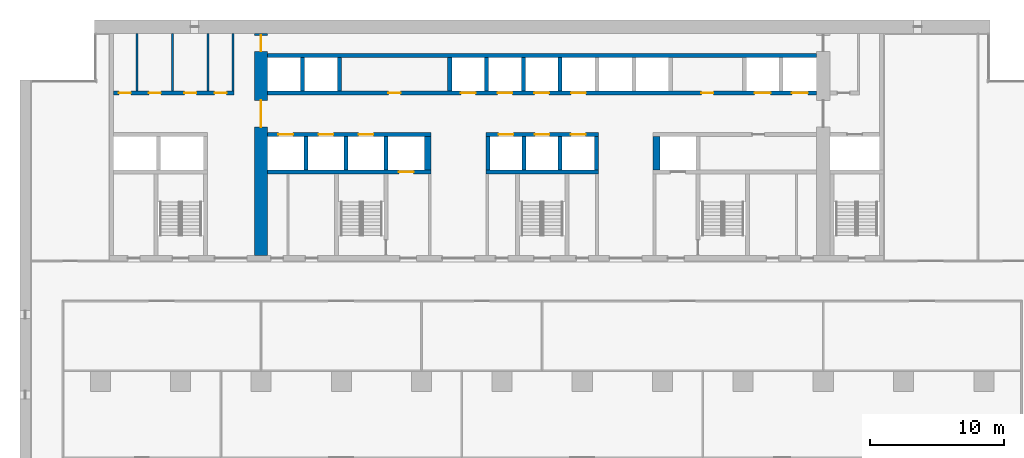
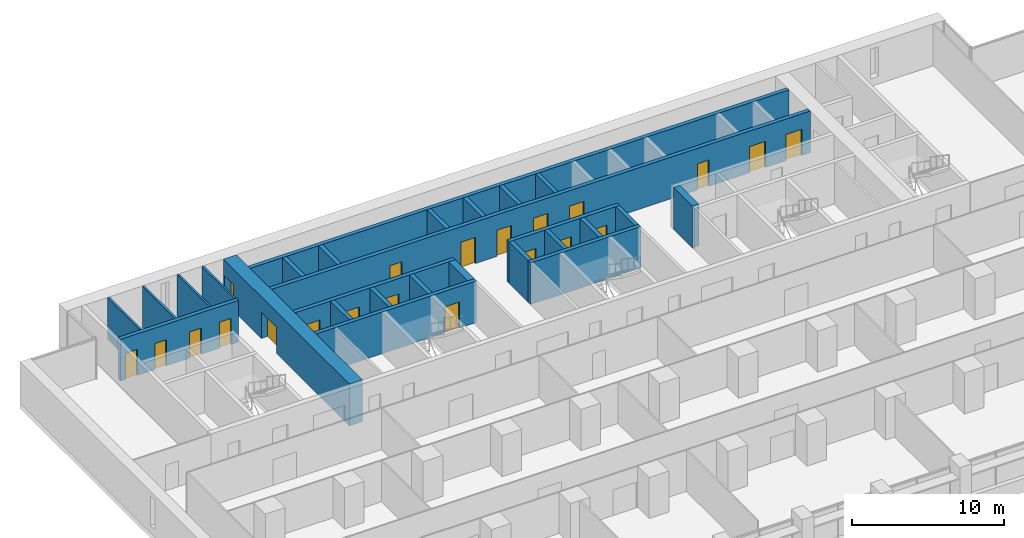
# One storey, part 11 of 18: 27 walls, 21 doors, 21 openings.
"""IFC4 building model written with IfcOpenShell, lengths in metres."""

from ifc_helpers import new_model, si_unit, direction, frame, frame_2d, origin, place, context, subcontext, project, spatial, rectangle, extrude, material, layer, layer_set, type_object, element, fill, save


model = new_model("IFC4")

# Units and contexts
model_context = context("Model", 3, precision=1e-05, world=origin(), true_north=direction((0.0, 1.0)))
body_context = subcontext(model_context, "Body", "Model", "MODEL_VIEW")
ifc_project = project(units=[si_unit("LENGTHUNIT", "METRE"), si_unit("AREAUNIT", "SQUARE_METRE"), si_unit("VOLUMEUNIT", "CUBIC_METRE"), si_unit("PLANEANGLEUNIT", "RADIAN"), si_unit("MASSUNIT", "GRAM", prefix="KILO")], contexts=[model_context])

# Site, building, storey
site_placement = place(None, origin())
site = spatial("IfcSite", under=ifc_project, at=site_placement, CompositionType="ELEMENT")
building_placement = place(site_placement, origin())
building = spatial("IfcBuilding", under=site, at=building_placement, Name="Calvaro Tower", CompositionType="ELEMENT")
storey_placement = place(building_placement, frame((0.0, 0.0, 78.75)))
storey = spatial("IfcBuildingStorey", under=building, at=storey_placement, Name="L19", CompositionType="ELEMENT", Elevation=78.75)

# Walls
ifc_material_1 = material(Name="Blockwork partition", Category="masonry")
ifc_layer_1 = layer(ifc_material_1, 0.14990234375)
ifc_layer_set_1 = layer_set([ifc_layer_1], Name="Blockwork partition")
wall_type_1 = type_object("IfcWallType", Name="Core partition 150 EI 60", PredefinedType="PARTITIONING", material=ifc_layer_set_1)
for number, where, z_axis, x_axis, name in (
    (1, (8.75, 40.699951171875, 0.0), (0.0, 0.0, 1.0), (0.0, 1.0, 0.0), "Core partition"),
    (2, (11.39990234375, 40.699951171875, 0.0), (0.0, 0.0, 1.0), (0.0, 1.0, 0.0), "Core partition"),
    (3, (14.050048828125, 40.699951171875, 0.0), (0.0, 0.0, 1.0), (0.0, 1.0, 0.0), "Core partition"),
):
    element("IfcWall", number, at=place(storey_placement, frame(where, z_axis=z_axis, x_axis=x_axis)), inside=storey, type_object=wall_type_1, Name=name, PredefinedType="PARTITIONING", context=body_context, shape_type="SweptSolid", body=[
        extrude(rectangle(XDim=4.300048828125, YDim=0.14990234375, at=frame_2d((2.14990234375, 0.0))), origin(), (0.0, 0.0, 1.0), 3.35009765625),
    ])
ifc_material_2 = material(Name="Blockwork partition", Category="masonry")
ifc_layer_2 = layer(ifc_material_2, 0.14990234375)
ifc_layer_set_2 = layer_set([ifc_layer_2], Name="Blockwork partition")
wall_type_2 = type_object("IfcWallType", Name="Core partition 150 REI 120", PredefinedType="PARTITIONING", material=ifc_layer_set_2)
wall_1_placement = place(storey_placement, frame((15.925048828125, 40.699951171875, 0.0), z_axis=(0.0, 0.0, 1.0), x_axis=(0.0, 1.0, 0.0)))
element("IfcWall", 4, at=wall_1_placement, inside=storey, type_object=wall_type_2, Name="Core partition", PredefinedType="PARTITIONING", context=body_context, shape_type="SweptSolid", body=[
    extrude(rectangle(XDim=4.300048828125, YDim=0.14990234375, at=frame_2d((2.14990234375, 0.0))), origin(), (0.0, 0.0, 1.0), 3.35009765625),
])

# Wall, openings, doors
ifc_material_3 = material(Name="Blockwork partition", Category="masonry")
ifc_layer_3 = layer(ifc_material_3, 0.300048828125)
ifc_layer_set_3 = layer_set([ifc_layer_3], Name="Blockwork partition")
wall_type_3 = type_object("IfcWallType", Name="Core partition 300 REI 120", PredefinedType="PARTITIONING", material=ifc_layer_set_3)
wall_2_placement = place(storey_placement, frame((7.0, 40.550048828125, 0.0), z_axis=(0.0, 0.0, 1.0), x_axis=(1.0, 0.0, 0.0)))
wall_2 = element("IfcWall", 5, at=wall_2_placement, inside=storey, type_object=wall_type_3, Name="Core partition", PredefinedType="PARTITIONING", context=body_context, shape_type="SweptSolid", body=[
    extrude(rectangle(XDim=9.0, YDim=0.300048828125, at=frame_2d((4.5, 0.0))), origin(), (0.0, 0.0, 1.0), 3.35009765625),
])
opening_1_placement = place(wall_2_placement, frame((0.387451171875, 0.0, 0.0)))
opening_1 = element("IfcOpeningElement", 6, at=opening_1_placement, cuts=wall_2, Name="Opening RD9C", PredefinedType="OPENING", context=body_context, shape_type="SweptSolid", body=[
    extrude(rectangle(XDim=0.89990234375, YDim=2.10009765625, at=frame_2d((0.449951171875, 1.050048828125))), frame((0.0, 0.159912109375, 0.0), z_axis=(0.0, -1.0, 0.0), x_axis=(1.0, 0.0, 0.0)), (0.0, 0.0, 1.0), 0.320068359375),
])
opening_2_placement = place(wall_2_placement, frame((2.625, 0.0, 0.0)))
opening_2 = element("IfcOpeningElement", 7, at=opening_2_placement, cuts=wall_2, Name="Opening RD9", PredefinedType="OPENING", context=body_context, shape_type="SweptSolid", body=[
    extrude(rectangle(XDim=0.89990234375, YDim=2.10009765625, at=frame_2d((0.449951171875, 1.050048828125))), frame((0.0, 0.159912109375, 0.0), z_axis=(0.0, -1.0, 0.0), x_axis=(1.0, 0.0, 0.0)), (0.0, 0.0, 1.0), 0.320068359375),
])
opening_3_placement = place(wall_2_placement, frame((5.27490234375, 0.0, 0.0)))
opening_3 = element("IfcOpeningElement", 8, at=opening_3_placement, cuts=wall_2, Name="Opening RD9", PredefinedType="OPENING", context=body_context, shape_type="SweptSolid", body=[
    extrude(rectangle(XDim=0.89990234375, YDim=2.10009765625, at=frame_2d((0.449951171875, 1.050048828125))), frame((0.0, 0.159912109375, 0.0), z_axis=(0.0, -1.0, 0.0), x_axis=(1.0, 0.0, 0.0)), (0.0, 0.0, 1.0), 0.320068359375),
])
opening_4_placement = place(wall_2_placement, frame((7.53759765625, 0.0, 0.0)))
opening_4 = element("IfcOpeningElement", 9, at=opening_4_placement, cuts=wall_2, Name="Opening RD9", PredefinedType="OPENING", context=body_context, shape_type="SweptSolid", body=[
    extrude(rectangle(XDim=0.89990234375, YDim=2.10009765625, at=frame_2d((0.449951171875, 1.050048828125))), frame((0.0, 0.159912109375, 0.0), z_axis=(0.0, -1.0, 0.0), x_axis=(1.0, 0.0, 0.0)), (0.0, 0.0, 1.0), 0.320068359375),
])
ifc_material_4 = material(Name="Steel door set", Category="steel")
door_type_1 = type_object("IfcDoorType", Name="Room door 900", OperationType="SINGLE_SWING_LEFT", PredefinedType="DOOR", material=ifc_material_4)
door_1_placement = place(opening_2_placement, origin())
door_1 = element("IfcDoor", 10, at=door_1_placement, inside=storey, type_object=door_type_1, Name="Room door", OperationType="SINGLE_SWING_LEFT", OverallHeight=2.10009765625, OverallWidth=0.89990234375, PredefinedType="DOOR", context=body_context, shape_type="SweptSolid", body=[
    extrude(rectangle(XDim=0.89990234375, YDim=2.10009765625, at=frame_2d((0.449951171875, 1.050048828125))), frame((0.0, 0.02490234375, 0.0), z_axis=(0.0, -1.0, 0.0), x_axis=(1.0, 0.0, 0.0)), (0.0, 0.0, 1.0), 0.050048828125),
])
fill(opening_2, door_1)
door_2_placement = place(opening_3_placement, origin())
door_2 = element("IfcDoor", 11, at=door_2_placement, inside=storey, type_object=door_type_1, Name="Room door", OperationType="SINGLE_SWING_LEFT", OverallHeight=2.10009765625, OverallWidth=0.89990234375, PredefinedType="DOOR", context=body_context, shape_type="SweptSolid", body=[
    extrude(rectangle(XDim=0.89990234375, YDim=2.10009765625, at=frame_2d((0.449951171875, 1.050048828125))), frame((0.0, 0.02490234375, 0.0), z_axis=(0.0, -1.0, 0.0), x_axis=(1.0, 0.0, 0.0)), (0.0, 0.0, 1.0), 0.050048828125),
])
fill(opening_3, door_2)
door_3_placement = place(opening_4_placement, origin())
door_3 = element("IfcDoor", 12, at=door_3_placement, inside=storey, type_object=door_type_1, Name="Room door", OperationType="SINGLE_SWING_RIGHT", OverallHeight=2.10009765625, OverallWidth=0.89990234375, PredefinedType="DOOR", context=body_context, shape_type="SweptSolid", body=[
    extrude(rectangle(XDim=0.89990234375, YDim=2.10009765625, at=frame_2d((0.449951171875, 1.050048828125))), frame((0.0, 0.02490234375, 0.0), z_axis=(0.0, -1.0, 0.0), x_axis=(1.0, 0.0, 0.0)), (0.0, 0.0, 1.0), 0.050048828125),
])
fill(opening_4, door_3)
ifc_material_5 = material(Name="Steel door set", Category="steel")
door_type_2 = type_object("IfcDoorType", Name="Room door 900 FD30", OperationType="SINGLE_SWING_LEFT", PredefinedType="DOOR", material=ifc_material_5)
door_4_placement = place(opening_1_placement, origin())
door_4 = element("IfcDoor", 13, at=door_4_placement, inside=storey, type_object=door_type_2, Name="Room door", OperationType="SINGLE_SWING_LEFT", OverallHeight=2.10009765625, OverallWidth=0.89990234375, PredefinedType="DOOR", context=body_context, shape_type="SweptSolid", body=[
    extrude(rectangle(XDim=0.89990234375, YDim=2.10009765625, at=frame_2d((0.449951171875, 1.050048828125))), frame((0.0, 0.02490234375, 0.0), z_axis=(0.0, -1.0, 0.0), x_axis=(1.0, 0.0, 0.0)), (0.0, 0.0, 1.0), 0.050048828125),
])
fill(opening_1, door_4)

ifc_material_6 = material(Name="Concrete C80/95", Category="concrete")
ifc_layer_4 = layer(ifc_material_6, 1.0)
ifc_layer_set_4 = layer_set([ifc_layer_4], Name="Concrete C80/95")
wall_type_4 = type_object("IfcWallType", Name="Core wall C80/95 1000", PredefinedType="SHEAR", material=ifc_layer_set_4)
wall_3_placement = place(storey_placement, frame((18.0, 28.39990234375, 0.0), z_axis=(0.0, 0.0, 1.0), x_axis=(0.0, 1.0, 0.0)))
wall_3 = element("IfcWall", 14, at=wall_3_placement, inside=storey, type_object=wall_type_4, Name="Core wall, cross shear wall", PredefinedType="SHEAR", context=body_context, shape_type="SweptSolid", body=[
    extrude(rectangle(XDim=16.60009765625, YDim=1.0, at=frame_2d((8.300048828125, 0.0))), origin(), (0.0, 0.0, 1.0), 3.35009765625),
])
opening_5_placement = place(wall_3_placement, frame((9.60009765625, 0.0, 0.0)))
opening_5 = element("IfcOpeningElement", 15, at=opening_5_placement, cuts=wall_3, Name="Opening DD20D", PredefinedType="OPENING", context=body_context, shape_type="SweptSolid", body=[
    extrude(rectangle(XDim=2.0, YDim=2.10009765625, at=frame_2d((1.0, 1.050048828125))), frame((0.0, 0.510009765625, 0.0), z_axis=(0.0, -1.0, 0.0), x_axis=(1.0, 0.0, 0.0)), (0.0, 0.0, 1.0), 1.02001953125),
])
opening_6_placement = place(wall_3_placement, frame((15.25, 0.0, 0.0)))
opening_6 = element("IfcOpeningElement", 16, at=opening_6_placement, cuts=wall_3, Name="Opening FD12C", PredefinedType="OPENING", context=body_context, shape_type="SweptSolid", body=[
    extrude(rectangle(XDim=1.199951171875, YDim=2.10009765625, at=frame_2d((0.60009765625, 1.050048828125))), frame((0.0, 0.510009765625, 0.0), z_axis=(0.0, -1.0, 0.0), x_axis=(1.0, 0.0, 0.0)), (0.0, 0.0, 1.0), 1.02001953125),
])
ifc_material_7 = material(Name="Steel door set", Category="steel")
door_type_3 = type_object("IfcDoorType", Name="Fire door 1200 FD30", OperationType="SINGLE_SWING_LEFT", PredefinedType="DOOR", material=ifc_material_7)
door_5_placement = place(opening_6_placement, origin())
door_5 = element("IfcDoor", 17, at=door_5_placement, inside=storey, type_object=door_type_3, Name="Fire door", OperationType="SINGLE_SWING_LEFT", OverallHeight=2.10009765625, OverallWidth=1.199951171875, PredefinedType="DOOR", context=body_context, shape_type="SweptSolid", body=[
    extrude(rectangle(XDim=1.199951171875, YDim=2.10009765625, at=frame_2d((0.60009765625, 1.050048828125))), frame((0.0, 0.02490234375, 0.0), z_axis=(0.0, -1.0, 0.0), x_axis=(1.0, 0.0, 0.0)), (0.0, 0.0, 1.0), 0.050048828125),
])
fill(opening_6, door_5)
ifc_material_8 = material(Name="Steel door set", Category="steel")
door_type_4 = type_object("IfcDoorType", Name="Lobby double door 2000 FD30S", OperationType="DOUBLE_DOOR_SINGLE_SWING", PredefinedType="DOOR", material=ifc_material_8)
door_6_placement = place(opening_5_placement, origin())
door_6 = element("IfcDoor", 18, at=door_6_placement, inside=storey, type_object=door_type_4, Name="Lobby double door", OperationType="DOUBLE_DOOR_SINGLE_SWING", OverallHeight=2.10009765625, OverallWidth=2.0, PredefinedType="DOOR", context=body_context, shape_type="SweptSolid", body=[
    extrude(rectangle(XDim=2.0, YDim=2.10009765625, at=frame_2d((1.0, 1.050048828125))), frame((0.0, 0.02490234375, 0.0), z_axis=(0.0, -1.0, 0.0), x_axis=(1.0, 0.0, 0.0)), (0.0, 0.0, 1.0), 0.050048828125),
])
fill(opening_5, door_6)

# Wall, opening, door
ifc_material_9 = material(Name="Concrete C80/95", Category="concrete")
ifc_layer_5 = layer(ifc_material_9, 0.300048828125)
ifc_layer_set_5 = layer_set([ifc_layer_5], Name="Concrete C80/95")
wall_type_5 = type_object("IfcWallType", Name="Core wall C80/95 300", PredefinedType="SHEAR", material=ifc_layer_set_5)
wall_4_placement = place(storey_placement, frame((18.5, 34.64990234375, 0.0), z_axis=(0.0, 0.0, 1.0), x_axis=(1.0, 0.0, 0.0)))
wall_4 = element("IfcWall", 19, at=wall_4_placement, inside=storey, type_object=wall_type_5, Name="Core wall, lift shaft", PredefinedType="SHEAR", context=body_context, shape_type="SweptSolid", body=[
    extrude(rectangle(XDim=12.199951171875, YDim=0.300048828125, at=frame_2d((6.10009765625, 0.0))), origin(), (0.0, 0.0, 1.0), 3.35009765625),
])
opening_7_placement = place(wall_4_placement, frame((9.800048828125, 0.0, 0.0)))
opening_7 = element("IfcOpeningElement", 20, at=opening_7_placement, cuts=wall_4, Name="Opening FF1", PredefinedType="OPENING", context=body_context, shape_type="SweptSolid", body=[
    extrude(rectangle(XDim=1.10009765625, YDim=2.10009765625, at=frame_2d((0.550048828125, 1.050048828125))), frame((0.0, 0.159912109375, 0.0), z_axis=(0.0, -1.0, 0.0), x_axis=(1.0, 0.0, 0.0)), (0.0, 0.0, 1.0), 0.320068359375),
])
ifc_material_10 = material(Name="Stainless steel", Category="steel")
door_type_5 = type_object("IfcDoorType", Name="Landing door 1100 E 60", OperationType="SLIDING_TO_LEFT", PredefinedType="DOOR", material=ifc_material_10)
door_7_placement = place(opening_7_placement, origin())
door_7 = element("IfcDoor", 21, at=door_7_placement, inside=storey, type_object=door_type_5, Name="Landing door FF1", OperationType="SLIDING_TO_LEFT", OverallHeight=2.10009765625, OverallWidth=1.10009765625, PredefinedType="DOOR", context=body_context, shape_type="SweptSolid", body=[
    extrude(rectangle(XDim=1.10009765625, YDim=2.10009765625, at=frame_2d((0.550048828125, 1.050048828125))), frame((0.0, 0.02490234375, 0.0), z_axis=(0.0, -1.0, 0.0), x_axis=(1.0, 0.0, 0.0)), (0.0, 0.0, 1.0), 0.050048828125),
])
fill(opening_7, door_7)

# Wall
wall_5_placement = place(storey_placement, frame((34.800048828125, 34.64990234375, 0.0), z_axis=(0.0, 0.0, 1.0), x_axis=(1.0, 0.0, 0.0)))
element("IfcWall", 22, at=wall_5_placement, inside=storey, type_object=wall_type_5, Name="Core wall, lift shaft", PredefinedType="SHEAR", context=body_context, shape_type="SweptSolid", body=[
    extrude(rectangle(XDim=8.39990234375, YDim=0.300048828125, at=frame_2d((4.199951171875, 0.0))), origin(), (0.0, 0.0, 1.0), 3.35009765625),
])

# Wall, openings, doors
wall_6_placement = place(storey_placement, frame((18.5, 37.449951171875, 0.0), z_axis=(0.0, 0.0, 1.0), x_axis=(1.0, 0.0, 0.0)))
wall_6 = element("IfcWall", 23, at=wall_6_placement, inside=storey, type_object=wall_type_5, Name="Core wall, lift shaft", PredefinedType="SHEAR", context=body_context, shape_type="SweptSolid", body=[
    extrude(rectangle(XDim=12.199951171875, YDim=0.300048828125, at=frame_2d((6.10009765625, 0.0))), origin(), (0.0, 0.0, 1.0), 3.35009765625),
])
opening_8_placement = place(wall_6_placement, frame((0.800048828125, 0.0, 0.0)))
opening_8 = element("IfcOpeningElement", 24, at=opening_8_placement, cuts=wall_6, Name="Opening LR1", PredefinedType="OPENING", context=body_context, shape_type="SweptSolid", body=[
    extrude(rectangle(XDim=1.10009765625, YDim=2.10009765625, at=frame_2d((0.550048828125, 1.050048828125))), frame((0.0, 0.159912109375, 0.0), z_axis=(0.0, -1.0, 0.0), x_axis=(1.0, 0.0, 0.0)), (0.0, 0.0, 1.0), 0.320068359375),
])
opening_9_placement = place(wall_6_placement, frame((3.800048828125, 0.0, 0.0)))
opening_9 = element("IfcOpeningElement", 25, at=opening_9_placement, cuts=wall_6, Name="Opening LR2", PredefinedType="OPENING", context=body_context, shape_type="SweptSolid", body=[
    extrude(rectangle(XDim=1.10009765625, YDim=2.10009765625, at=frame_2d((0.550048828125, 1.050048828125))), frame((0.0, 0.159912109375, 0.0), z_axis=(0.0, -1.0, 0.0), x_axis=(1.0, 0.0, 0.0)), (0.0, 0.0, 1.0), 0.320068359375),
])
opening_10_placement = place(wall_6_placement, frame((6.800048828125, 0.0, 0.0)))
opening_10 = element("IfcOpeningElement", 26, at=opening_10_placement, cuts=wall_6, Name="Opening LR3", PredefinedType="OPENING", context=body_context, shape_type="SweptSolid", body=[
    extrude(rectangle(XDim=1.10009765625, YDim=2.10009765625, at=frame_2d((0.550048828125, 1.050048828125))), frame((0.0, 0.159912109375, 0.0), z_axis=(0.0, -1.0, 0.0), x_axis=(1.0, 0.0, 0.0)), (0.0, 0.0, 1.0), 0.320068359375),
])
door_8_placement = place(opening_8_placement, origin())
door_8 = element("IfcDoor", 27, at=door_8_placement, inside=storey, type_object=door_type_5, Name="Landing door LR1", OperationType="SLIDING_TO_LEFT", OverallHeight=2.10009765625, OverallWidth=1.10009765625, PredefinedType="DOOR", context=body_context, shape_type="SweptSolid", body=[
    extrude(rectangle(XDim=1.10009765625, YDim=2.10009765625, at=frame_2d((0.550048828125, 1.050048828125))), frame((0.0, 0.02490234375, 0.0), z_axis=(0.0, -1.0, 0.0), x_axis=(1.0, 0.0, 0.0)), (0.0, 0.0, 1.0), 0.050048828125),
])
fill(opening_8, door_8)
door_9_placement = place(opening_9_placement, origin())
door_9 = element("IfcDoor", 28, at=door_9_placement, inside=storey, type_object=door_type_5, Name="Landing door LR2", OperationType="SLIDING_TO_LEFT", OverallHeight=2.10009765625, OverallWidth=1.10009765625, PredefinedType="DOOR", context=body_context, shape_type="SweptSolid", body=[
    extrude(rectangle(XDim=1.10009765625, YDim=2.10009765625, at=frame_2d((0.550048828125, 1.050048828125))), frame((0.0, 0.02490234375, 0.0), z_axis=(0.0, -1.0, 0.0), x_axis=(1.0, 0.0, 0.0)), (0.0, 0.0, 1.0), 0.050048828125),
])
fill(opening_9, door_9)
door_10_placement = place(opening_10_placement, origin())
door_10 = element("IfcDoor", 29, at=door_10_placement, inside=storey, type_object=door_type_5, Name="Landing door LR3", OperationType="SLIDING_TO_LEFT", OverallHeight=2.10009765625, OverallWidth=1.10009765625, PredefinedType="DOOR", context=body_context, shape_type="SweptSolid", body=[
    extrude(rectangle(XDim=1.10009765625, YDim=2.10009765625, at=frame_2d((0.550048828125, 1.050048828125))), frame((0.0, 0.02490234375, 0.0), z_axis=(0.0, -1.0, 0.0), x_axis=(1.0, 0.0, 0.0)), (0.0, 0.0, 1.0), 0.050048828125),
])
fill(opening_10, door_10)

wall_7_placement = place(storey_placement, frame((34.800048828125, 37.449951171875, 0.0), z_axis=(0.0, 0.0, 1.0), x_axis=(1.0, 0.0, 0.0)))
wall_7 = element("IfcWall", 30, at=wall_7_placement, inside=storey, type_object=wall_type_5, Name="Core wall, lift shaft", PredefinedType="SHEAR", context=body_context, shape_type="SweptSolid", body=[
    extrude(rectangle(XDim=8.39990234375, YDim=0.300048828125, at=frame_2d((4.199951171875, 0.0))), origin(), (0.0, 0.0, 1.0), 3.35009765625),
])
opening_11_placement = place(wall_7_placement, frame((0.949951171875, 0.0, 0.0)))
opening_11 = element("IfcOpeningElement", 31, at=opening_11_placement, cuts=wall_7, Name="Opening LR4", PredefinedType="OPENING", context=body_context, shape_type="SweptSolid", body=[
    extrude(rectangle(XDim=1.10009765625, YDim=2.10009765625, at=frame_2d((0.550048828125, 1.050048828125))), frame((0.0, 0.159912109375, 0.0), z_axis=(0.0, -1.0, 0.0), x_axis=(1.0, 0.0, 0.0)), (0.0, 0.0, 1.0), 0.320068359375),
])
opening_12_placement = place(wall_7_placement, frame((3.64990234375, 0.0, 0.0)))
opening_12 = element("IfcOpeningElement", 32, at=opening_12_placement, cuts=wall_7, Name="Opening LR5", PredefinedType="OPENING", context=body_context, shape_type="SweptSolid", body=[
    extrude(rectangle(XDim=1.10009765625, YDim=2.10009765625, at=frame_2d((0.550048828125, 1.050048828125))), frame((0.0, 0.159912109375, 0.0), z_axis=(0.0, -1.0, 0.0), x_axis=(1.0, 0.0, 0.0)), (0.0, 0.0, 1.0), 0.320068359375),
])
opening_13_placement = place(wall_7_placement, frame((6.35009765625, 0.0, 0.0)))
opening_13 = element("IfcOpeningElement", 33, at=opening_13_placement, cuts=wall_7, Name="Opening LR6", PredefinedType="OPENING", context=body_context, shape_type="SweptSolid", body=[
    extrude(rectangle(XDim=1.10009765625, YDim=2.10009765625, at=frame_2d((0.550048828125, 1.050048828125))), frame((0.0, 0.159912109375, 0.0), z_axis=(0.0, -1.0, 0.0), x_axis=(1.0, 0.0, 0.0)), (0.0, 0.0, 1.0), 0.320068359375),
])
door_11_placement = place(opening_11_placement, origin())
door_11 = element("IfcDoor", 34, at=door_11_placement, inside=storey, type_object=door_type_5, Name="Landing door LR4", OperationType="SLIDING_TO_LEFT", OverallHeight=2.10009765625, OverallWidth=1.10009765625, PredefinedType="DOOR", context=body_context, shape_type="SweptSolid", body=[
    extrude(rectangle(XDim=1.10009765625, YDim=2.10009765625, at=frame_2d((0.550048828125, 1.050048828125))), frame((0.0, 0.02490234375, 0.0), z_axis=(0.0, -1.0, 0.0), x_axis=(1.0, 0.0, 0.0)), (0.0, 0.0, 1.0), 0.050048828125),
])
fill(opening_11, door_11)
door_12_placement = place(opening_12_placement, origin())
door_12 = element("IfcDoor", 35, at=door_12_placement, inside=storey, type_object=door_type_5, Name="Landing door LR5", OperationType="SLIDING_TO_LEFT", OverallHeight=2.10009765625, OverallWidth=1.10009765625, PredefinedType="DOOR", context=body_context, shape_type="SweptSolid", body=[
    extrude(rectangle(XDim=1.10009765625, YDim=2.10009765625, at=frame_2d((0.550048828125, 1.050048828125))), frame((0.0, 0.02490234375, 0.0), z_axis=(0.0, -1.0, 0.0), x_axis=(1.0, 0.0, 0.0)), (0.0, 0.0, 1.0), 0.050048828125),
])
fill(opening_12, door_12)
door_13_placement = place(opening_13_placement, origin())
door_13 = element("IfcDoor", 36, at=door_13_placement, inside=storey, type_object=door_type_5, Name="Landing door LR6", OperationType="SLIDING_TO_LEFT", OverallHeight=2.10009765625, OverallWidth=1.10009765625, PredefinedType="DOOR", context=body_context, shape_type="SweptSolid", body=[
    extrude(rectangle(XDim=1.10009765625, YDim=2.10009765625, at=frame_2d((0.550048828125, 1.050048828125))), frame((0.0, 0.02490234375, 0.0), z_axis=(0.0, -1.0, 0.0), x_axis=(1.0, 0.0, 0.0)), (0.0, 0.0, 1.0), 0.050048828125),
])
fill(opening_13, door_13)

# Walls
for number, where, z_axis, x_axis, name in (
    (37, (27.35009765625, 34.800048828125, 0.0), (0.0, 0.0, 1.0), (0.0, 1.0, 0.0), "Core wall, lift shaft"),
    (38, (34.949951171875, 34.800048828125, 0.0), (0.0, 0.0, 1.0), (0.0, 1.0, 0.0), "Core wall, lift shaft"),
    (39, (43.050048828125, 34.800048828125, 0.0), (0.0, 0.0, 1.0), (0.0, 1.0, 0.0), "Core wall, lift shaft"),
):
    element("IfcWall", number, at=place(storey_placement, frame(where, z_axis=z_axis, x_axis=x_axis)), inside=storey, type_object=wall_type_5, Name=name, PredefinedType="SHEAR", context=body_context, shape_type="SweptSolid", body=[
        extrude(rectangle(XDim=2.5, YDim=0.300048828125, at=frame_2d((1.25, 0.0))), origin(), (0.0, 0.0, 1.0), 3.35009765625),
    ])

# Wall, openings, doors
wall_8_placement = place(storey_placement, frame((18.5, 40.550048828125, 0.0), z_axis=(0.0, 0.0, 1.0), x_axis=(1.0, 0.0, 0.0)))
wall_8 = element("IfcWall", 40, at=wall_8_placement, inside=storey, type_object=wall_type_5, Name="Core wall, bay", PredefinedType="SHEAR", context=body_context, shape_type="SweptSolid", body=[
    extrude(rectangle(XDim=41.0, YDim=0.300048828125, at=frame_2d((20.5, 0.0))), origin(), (0.0, 0.0, 1.0), 3.35009765625),
])
opening_14_placement = place(wall_8_placement, frame((9.02490234375, 0.0, 0.0)))
opening_14 = element("IfcOpeningElement", 41, at=opening_14_placement, cuts=wall_8, Name="Opening RD9E", PredefinedType="OPENING", context=body_context, shape_type="SweptSolid", body=[
    extrude(rectangle(XDim=0.89990234375, YDim=2.10009765625, at=frame_2d((0.449951171875, 1.050048828125))), frame((0.0, 0.159912109375, 0.0), z_axis=(0.0, -1.0, 0.0), x_axis=(1.0, 0.0, 0.0)), (0.0, 0.0, 1.0), 0.320068359375),
])
opening_15_placement = place(wall_8_placement, frame((32.39990234375, 0.0, 0.0)))
opening_15 = element("IfcOpeningElement", 42, at=opening_15_placement, cuts=wall_8, Name="Opening RD9E", PredefinedType="OPENING", context=body_context, shape_type="SweptSolid", body=[
    extrude(rectangle(XDim=0.89990234375, YDim=2.10009765625, at=frame_2d((0.449951171875, 1.050048828125))), frame((0.0, 0.159912109375, 0.0), z_axis=(0.0, -1.0, 0.0), x_axis=(1.0, 0.0, 0.0)), (0.0, 0.0, 1.0), 0.320068359375),
])
opening_16_placement = place(wall_8_placement, frame((14.425048828125, 0.0, 0.0)))
opening_16 = element("IfcOpeningElement", 43, at=opening_16_placement, cuts=wall_8, Name="Opening LR7", PredefinedType="OPENING", context=body_context, shape_type="SweptSolid", body=[
    extrude(rectangle(XDim=1.10009765625, YDim=2.10009765625, at=frame_2d((0.550048828125, 1.050048828125))), frame((0.0, 0.159912109375, 0.0), z_axis=(0.0, -1.0, 0.0), x_axis=(1.0, 0.0, 0.0)), (0.0, 0.0, 1.0), 0.320068359375),
])
opening_17_placement = place(wall_8_placement, frame((17.175048828125, 0.0, 0.0)))
opening_17 = element("IfcOpeningElement", 44, at=opening_17_placement, cuts=wall_8, Name="Opening LR8", PredefinedType="OPENING", context=body_context, shape_type="SweptSolid", body=[
    extrude(rectangle(XDim=1.10009765625, YDim=2.10009765625, at=frame_2d((0.550048828125, 1.050048828125))), frame((0.0, 0.159912109375, 0.0), z_axis=(0.0, -1.0, 0.0), x_axis=(1.0, 0.0, 0.0)), (0.0, 0.0, 1.0), 0.320068359375),
])
opening_18_placement = place(wall_8_placement, frame((19.925048828125, 0.0, 0.0)))
opening_18 = element("IfcOpeningElement", 45, at=opening_18_placement, cuts=wall_8, Name="Opening LR9", PredefinedType="OPENING", context=body_context, shape_type="SweptSolid", body=[
    extrude(rectangle(XDim=1.10009765625, YDim=2.10009765625, at=frame_2d((0.550048828125, 1.050048828125))), frame((0.0, 0.159912109375, 0.0), z_axis=(0.0, -1.0, 0.0), x_axis=(1.0, 0.0, 0.0)), (0.0, 0.0, 1.0), 0.320068359375),
])
opening_19_placement = place(wall_8_placement, frame((22.675048828125, 0.0, 0.0)))
opening_19 = element("IfcOpeningElement", 46, at=opening_19_placement, cuts=wall_8, Name="Opening LR10", PredefinedType="OPENING", context=body_context, shape_type="SweptSolid", body=[
    extrude(rectangle(XDim=1.10009765625, YDim=2.10009765625, at=frame_2d((0.550048828125, 1.050048828125))), frame((0.0, 0.159912109375, 0.0), z_axis=(0.0, -1.0, 0.0), x_axis=(1.0, 0.0, 0.0)), (0.0, 0.0, 1.0), 0.320068359375),
])
opening_20_placement = place(wall_8_placement, frame((36.375, 0.0, 0.0)))
opening_20 = element("IfcOpeningElement", 47, at=opening_20_placement, cuts=wall_8, Name="Opening SV1", PredefinedType="OPENING", context=body_context, shape_type="SweptSolid", body=[
    extrude(rectangle(XDim=1.199951171875, YDim=2.10009765625, at=frame_2d((0.60009765625, 1.050048828125))), frame((0.0, 0.159912109375, 0.0), z_axis=(0.0, -1.0, 0.0), x_axis=(1.0, 0.0, 0.0)), (0.0, 0.0, 1.0), 0.320068359375),
])
opening_21_placement = place(wall_8_placement, frame((39.14990234375, 0.0, 0.0)))
opening_21 = element("IfcOpeningElement", 48, at=opening_21_placement, cuts=wall_8, Name="Opening SV2", PredefinedType="OPENING", context=body_context, shape_type="SweptSolid", body=[
    extrude(rectangle(XDim=1.199951171875, YDim=2.10009765625, at=frame_2d((0.60009765625, 1.050048828125))), frame((0.0, 0.159912109375, 0.0), z_axis=(0.0, -1.0, 0.0), x_axis=(1.0, 0.0, 0.0)), (0.0, 0.0, 1.0), 0.320068359375),
])
door_14_placement = place(opening_16_placement, origin())
door_14 = element("IfcDoor", 49, at=door_14_placement, inside=storey, type_object=door_type_5, Name="Landing door LR7", OperationType="SLIDING_TO_LEFT", OverallHeight=2.10009765625, OverallWidth=1.10009765625, PredefinedType="DOOR", context=body_context, shape_type="SweptSolid", body=[
    extrude(rectangle(XDim=1.10009765625, YDim=2.10009765625, at=frame_2d((0.550048828125, 1.050048828125))), frame((0.0, 0.02490234375, 0.0), z_axis=(0.0, -1.0, 0.0), x_axis=(1.0, 0.0, 0.0)), (0.0, 0.0, 1.0), 0.050048828125),
])
fill(opening_16, door_14)
door_15_placement = place(opening_17_placement, origin())
door_15 = element("IfcDoor", 50, at=door_15_placement, inside=storey, type_object=door_type_5, Name="Landing door LR8", OperationType="SLIDING_TO_LEFT", OverallHeight=2.10009765625, OverallWidth=1.10009765625, PredefinedType="DOOR", context=body_context, shape_type="SweptSolid", body=[
    extrude(rectangle(XDim=1.10009765625, YDim=2.10009765625, at=frame_2d((0.550048828125, 1.050048828125))), frame((0.0, 0.02490234375, 0.0), z_axis=(0.0, -1.0, 0.0), x_axis=(1.0, 0.0, 0.0)), (0.0, 0.0, 1.0), 0.050048828125),
])
fill(opening_17, door_15)
door_16_placement = place(opening_18_placement, origin())
door_16 = element("IfcDoor", 51, at=door_16_placement, inside=storey, type_object=door_type_5, Name="Landing door LR9", OperationType="SLIDING_TO_LEFT", OverallHeight=2.10009765625, OverallWidth=1.10009765625, PredefinedType="DOOR", context=body_context, shape_type="SweptSolid", body=[
    extrude(rectangle(XDim=1.10009765625, YDim=2.10009765625, at=frame_2d((0.550048828125, 1.050048828125))), frame((0.0, 0.02490234375, 0.0), z_axis=(0.0, -1.0, 0.0), x_axis=(1.0, 0.0, 0.0)), (0.0, 0.0, 1.0), 0.050048828125),
])
fill(opening_18, door_16)
door_17_placement = place(opening_19_placement, origin())
door_17 = element("IfcDoor", 52, at=door_17_placement, inside=storey, type_object=door_type_5, Name="Landing door LR10", OperationType="SLIDING_TO_LEFT", OverallHeight=2.10009765625, OverallWidth=1.10009765625, PredefinedType="DOOR", context=body_context, shape_type="SweptSolid", body=[
    extrude(rectangle(XDim=1.10009765625, YDim=2.10009765625, at=frame_2d((0.550048828125, 1.050048828125))), frame((0.0, 0.02490234375, 0.0), z_axis=(0.0, -1.0, 0.0), x_axis=(1.0, 0.0, 0.0)), (0.0, 0.0, 1.0), 0.050048828125),
])
fill(opening_19, door_17)
ifc_material_11 = material(Name="Stainless steel", Category="steel")
door_type_6 = type_object("IfcDoorType", Name="Landing door 1200 E 60", OperationType="SLIDING_TO_LEFT", PredefinedType="DOOR", material=ifc_material_11)
door_18_placement = place(opening_20_placement, origin())
door_18 = element("IfcDoor", 53, at=door_18_placement, inside=storey, type_object=door_type_6, Name="Landing door SV1", OperationType="SLIDING_TO_LEFT", OverallHeight=2.10009765625, OverallWidth=1.199951171875, PredefinedType="DOOR", context=body_context, shape_type="SweptSolid", body=[
    extrude(rectangle(XDim=1.199951171875, YDim=2.10009765625, at=frame_2d((0.60009765625, 1.050048828125))), frame((0.0, 0.02490234375, 0.0), z_axis=(0.0, -1.0, 0.0), x_axis=(1.0, 0.0, 0.0)), (0.0, 0.0, 1.0), 0.050048828125),
])
fill(opening_20, door_18)
door_19_placement = place(opening_21_placement, origin())
door_19 = element("IfcDoor", 54, at=door_19_placement, inside=storey, type_object=door_type_6, Name="Landing door SV2", OperationType="SLIDING_TO_LEFT", OverallHeight=2.10009765625, OverallWidth=1.199951171875, PredefinedType="DOOR", context=body_context, shape_type="SweptSolid", body=[
    extrude(rectangle(XDim=1.199951171875, YDim=2.10009765625, at=frame_2d((0.60009765625, 1.050048828125))), frame((0.0, 0.02490234375, 0.0), z_axis=(0.0, -1.0, 0.0), x_axis=(1.0, 0.0, 0.0)), (0.0, 0.0, 1.0), 0.050048828125),
])
fill(opening_21, door_19)
ifc_material_12 = material(Name="Steel door set", Category="steel")
door_type_7 = type_object("IfcDoorType", Name="Room door 900 FD60", OperationType="SINGLE_SWING_LEFT", PredefinedType="DOOR", material=ifc_material_12)
door_20_placement = place(opening_14_placement, origin())
door_20 = element("IfcDoor", 55, at=door_20_placement, inside=storey, type_object=door_type_7, Name="Room door", OperationType="SINGLE_SWING_RIGHT", OverallHeight=2.10009765625, OverallWidth=0.89990234375, PredefinedType="DOOR", context=body_context, shape_type="SweptSolid", body=[
    extrude(rectangle(XDim=0.89990234375, YDim=2.10009765625, at=frame_2d((0.449951171875, 1.050048828125))), frame((0.0, 0.02490234375, 0.0), z_axis=(0.0, -1.0, 0.0), x_axis=(1.0, 0.0, 0.0)), (0.0, 0.0, 1.0), 0.050048828125),
])
fill(opening_14, door_20)
door_21_placement = place(opening_15_placement, origin())
door_21 = element("IfcDoor", 56, at=door_21_placement, inside=storey, type_object=door_type_7, Name="Room door", OperationType="SINGLE_SWING_LEFT", OverallHeight=2.10009765625, OverallWidth=0.89990234375, PredefinedType="DOOR", context=body_context, shape_type="SweptSolid", body=[
    extrude(rectangle(XDim=0.89990234375, YDim=2.10009765625, at=frame_2d((0.449951171875, 1.050048828125))), frame((0.0, 0.02490234375, 0.0), z_axis=(0.0, -1.0, 0.0), x_axis=(1.0, 0.0, 0.0)), (0.0, 0.0, 1.0), 0.050048828125),
])
fill(opening_15, door_21)

# Walls
wall_9_placement = place(storey_placement, frame((18.5, 43.35009765625, 0.0), z_axis=(0.0, 0.0, 1.0), x_axis=(1.0, 0.0, 0.0)))
element("IfcWall", 57, at=wall_9_placement, inside=storey, type_object=wall_type_5, Name="Core wall, lift shaft", PredefinedType="SHEAR", context=body_context, shape_type="SweptSolid", body=[
    extrude(rectangle(XDim=41.0, YDim=0.300048828125, at=frame_2d((20.5, 0.0))), origin(), (0.0, 0.0, 1.0), 3.35009765625),
])
for number, where, z_axis, x_axis, name in (
    (58, (21.35009765625, 34.800048828125, 0.0), (0.0, 0.0, 1.0), (0.0, 1.0, 0.0), "Core wall, lift shaft"),
    (59, (24.35009765625, 34.800048828125, 0.0), (0.0, 0.0, 1.0), (0.0, 1.0, 0.0), "Core wall, lift shaft"),
    (60, (37.64990234375, 34.800048828125, 0.0), (0.0, 0.0, 1.0), (0.0, 1.0, 0.0), "Core wall, lift shaft"),
    (61, (40.35009765625, 34.800048828125, 0.0), (0.0, 0.0, 1.0), (0.0, 1.0, 0.0), "Core wall, lift shaft"),
    (62, (21.10009765625, 40.699951171875, 0.0), (0.0, 0.0, 1.0), (0.0, 1.0, 0.0), "Core wall, lift shaft"),
    (63, (23.85009765625, 40.699951171875, 0.0), (0.0, 0.0, 1.0), (0.0, 1.0, 0.0), "Core wall, lift shaft"),
    (64, (32.10009765625, 40.699951171875, 0.0), (0.0, 0.0, 1.0), (0.0, 1.0, 0.0), "Core wall, lift shaft"),
    (65, (34.85009765625, 40.699951171875, 0.0), (0.0, 0.0, 1.0), (0.0, 1.0, 0.0), "Core wall, lift shaft"),
    (66, (37.60009765625, 40.699951171875, 0.0), (0.0, 0.0, 1.0), (0.0, 1.0, 0.0), "Core wall, lift shaft"),
    (67, (40.35009765625, 40.699951171875, 0.0), (0.0, 0.0, 1.0), (0.0, 1.0, 0.0), "Core wall, lift shaft"),
):
    element("IfcWall", number, at=place(storey_placement, frame(where, z_axis=z_axis, x_axis=x_axis)), inside=storey, type_object=wall_type_5, Name=name, PredefinedType="SHEAR", context=body_context, shape_type="SweptSolid", body=[
        extrude(rectangle(XDim=2.5, YDim=0.300048828125, at=frame_2d((1.25, 0.0))), origin(), (0.0, 0.0, 1.0), 3.35009765625),
    ])
ifc_material_13 = material(Name="Concrete C80/95", Category="concrete")
ifc_layer_6 = layer(ifc_material_13, 0.5)
ifc_layer_set_6 = layer_set([ifc_layer_6], Name="Concrete C80/95")
wall_type_6 = type_object("IfcWallType", Name="Core wall C80/95 500", PredefinedType="SHEAR", material=ifc_layer_set_6)
for number, where, z_axis, x_axis, name in (
    (68, (30.449951171875, 34.800048828125, 0.0), (0.0, 0.0, 1.0), (0.0, 1.0, 0.0), "Core wall, lift shaft"),
    (69, (47.550048828125, 34.800048828125, 0.0), (0.0, 0.0, 1.0), (0.0, 1.0, 0.0), "Core wall, lift shaft"),
):
    element("IfcWall", number, at=place(storey_placement, frame(where, z_axis=z_axis, x_axis=x_axis)), inside=storey, type_object=wall_type_6, Name=name, PredefinedType="SHEAR", context=body_context, shape_type="SweptSolid", body=[
        extrude(rectangle(XDim=2.5, YDim=0.5, at=frame_2d((1.25, 0.0))), origin(), (0.0, 0.0, 1.0), 3.35009765625),
    ])

save(model, "model.ifc")
